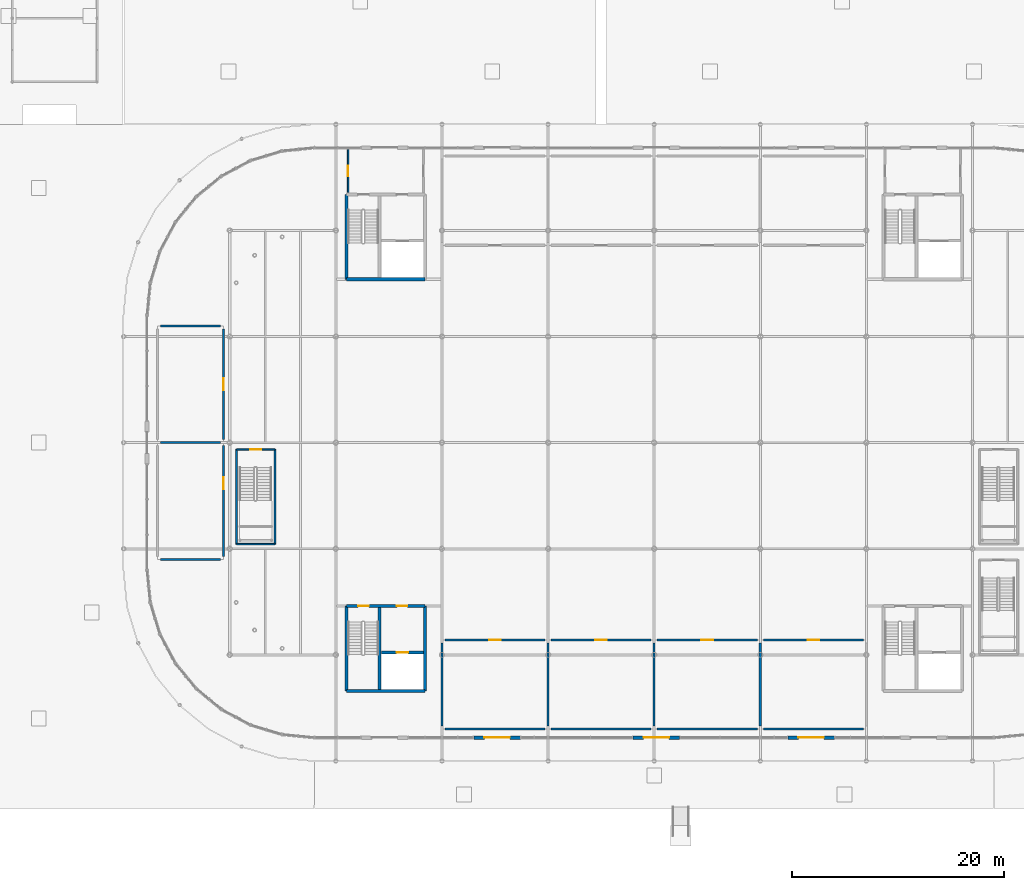
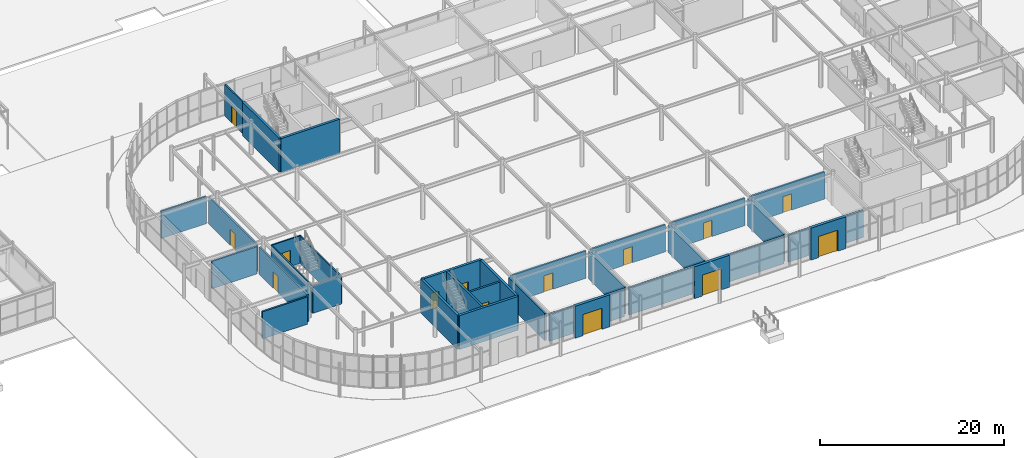
# One storey, part 88 of 119: 33 walls, 14 doors, 14 openings.
"""IFC4 building model written with IfcOpenShell, lengths in metres."""

from ifc_helpers import new_model, si_unit, derived_unit, direction, frame, frame_2d, origin, place, context, subcontext, project, spatial, rectangle, extrude, material, layer, layer_set, type_object, element, fill, save


model = new_model("IFC4")

# Units and contexts
model_context = context("Model", 3, precision=1e-05, world=origin(), true_north=direction((0.0, 1.0)))
body_context = subcontext(model_context, "Body", "Model", "MODEL_VIEW")
ifc_project = project(units=[si_unit("LENGTHUNIT", "METRE"), si_unit("AREAUNIT", "SQUARE_METRE"), si_unit("VOLUMEUNIT", "CUBIC_METRE"), si_unit("PLANEANGLEUNIT", "RADIAN"), si_unit("MASSUNIT", "GRAM", prefix="KILO"), derived_unit("THERMALTRANSMITTANCEUNIT", [(si_unit("POWERUNIT", "WATT"), 1), (si_unit("LENGTHUNIT", "METRE"), -2), (si_unit("THERMODYNAMICTEMPERATUREUNIT", "KELVIN"), -1)])], contexts=[model_context])

# Site, building, storey
site_placement = place(None, origin())
site = spatial("IfcSite", under=ifc_project, at=site_placement, CompositionType="ELEMENT")
building_placement = place(site_placement, origin())
building = spatial("IfcBuilding", under=site, at=building_placement, Name="Cinnabar Yard Market Hall", CompositionType="ELEMENT")
storey_placement = place(building_placement, origin())
storey = spatial("IfcBuildingStorey", under=building, at=storey_placement, Name="L00", CompositionType="ELEMENT", Elevation=0.0)

# Walls
ifc_material_1 = material(Name="Fire-rated steel-stud plasterboard", Category="steel")
ifc_layer_1 = layer(ifc_material_1, 0.14990234375)
ifc_layer_set_1 = layer_set([ifc_layer_1], Name="Fire-rated steel-stud plasterboard")
wall_type_1 = type_object("IfcWallType", Name="WL-PT150", PredefinedType="PARTITIONING", material=ifc_layer_set_1)
for number, where, z_axis, x_axis, name in (
    (1, (76.639892578125, 43.360107421875, 0.0), (0.0, 0.0, 1.0), (0.0, -1.0, 0.0), "Stair ST-F1 Shaft Wall W L00"),
    (2, (80.260009765625, 34.43994140625, 0.0), (0.0, 0.0, 1.0), (0.0, 1.0, 0.0), "Stair ST-F1 Shaft Wall E L00"),
):
    element("IfcWall", number, at=place(storey_placement, frame(where, z_axis=z_axis, x_axis=x_axis)), inside=storey, type_object=wall_type_1, Name=name, PredefinedType="PARTITIONING", context=body_context, shape_type="SweptSolid", body=[
        extrude(rectangle(XDim=8.920166015625, YDim=0.14990234375, at=frame_2d((4.4599609375, 0.0), x_axis=(1.0, 0.0))), origin(), (0.0, 0.0, 1.0), 3.659912109375),
    ])
wall_1_placement = place(storey_placement, frame((76.639892578125, 34.43994140625, 0.0), z_axis=(0.0, 0.0, 1.0), x_axis=(1.0, 0.0, 0.0)))
element("IfcWall", 3, at=wall_1_placement, inside=storey, type_object=wall_type_1, Name="Stair ST-F1 Shaft Wall S L00", PredefinedType="PARTITIONING", context=body_context, shape_type="SweptSolid", body=[
    extrude(rectangle(XDim=3.6201171875, YDim=0.14990234375, at=frame_2d((1.81005859375, 0.0), x_axis=(1.0, 0.0))), origin(), (0.0, 0.0, 1.0), 3.659912109375),
])

# Wall, opening, door
wall_2_placement = place(storey_placement, frame((80.260009765625, 43.360107421875, 0.0), z_axis=(0.0, 0.0, 1.0), x_axis=(-1.0, 0.0, 0.0)))
wall_2 = element("IfcWall", 4, at=wall_2_placement, inside=storey, type_object=wall_type_1, Name="Stair ST-F1 Shaft Wall N L00", PredefinedType="PARTITIONING", context=body_context, shape_type="SweptSolid", body=[
    extrude(rectangle(XDim=3.6201171875, YDim=0.14990234375, at=frame_2d((1.81005859375, 0.0), x_axis=(1.0, 0.0))), origin(), (0.0, 0.0, 1.0), 3.659912109375),
])
opening_1_placement = place(wall_2_placement, frame((1.31005859375, 0.0, 0.0)))
opening_1 = element("IfcOpeningElement", 5, at=opening_1_placement, cuts=wall_2, Name="Opening CD-065", PredefinedType="OPENING", context=body_context, shape_type="SweptSolid", body=[
    extrude(rectangle(XDim=1.0, YDim=2.14990234375, at=frame_2d((0.5, 1.074951171875), x_axis=(1.0, 0.0))), frame((0.0, 0.0849609375, 0.0), z_axis=(0.0, -1.0, 0.0), x_axis=(1.0, 0.0, 0.0)), (0.0, 0.0, 1.0), 0.169921875),
])
ifc_material_2 = material(Name="Solid-core spotted gum timber", Category="wood")
door_type_1 = type_object("IfcDoorType", Name="DR-D05", OperationType="NOTDEFINED", PredefinedType="DOOR", material=ifc_material_2)
door_1_placement = place(opening_1_placement, origin())
door_1 = element("IfcDoor", 6, at=door_1_placement, inside=storey, type_object=door_type_1, Name="Stair Door CD-065", OperationType="SINGLE_SWING_LEFT", OverallHeight=2.14990234375, OverallWidth=1.0, PredefinedType="DOOR", context=body_context, shape_type="SweptSolid", body=[
    extrude(rectangle(XDim=1.0, YDim=2.14990234375, at=frame_2d((0.5, 1.074951171875), x_axis=(1.0, 0.0))), frame((0.0, 0.02490234375, 0.0), z_axis=(0.0, -1.0, 0.0), x_axis=(1.0, 0.0, 0.0)), (0.0, 0.0, 1.0), 0.050048828125),
])
fill(opening_1, door_1)

wall_3_placement = place(storey_placement, frame((87.14990234375, 71.6201171875, 0.0), z_axis=(0.0, 0.0, 1.0), x_axis=(0.0, -1.0, 0.0)))
wall_3 = element("IfcWall", 7, at=wall_3_placement, inside=storey, type_object=wall_type_1, Name="Protected Exit Lobby C3 W", PredefinedType="PARTITIONING", context=body_context, shape_type="SweptSolid", body=[
    extrude(rectangle(XDim=4.0400390625, YDim=0.14990234375, at=frame_2d((2.02001953125, 0.0), x_axis=(1.0, 0.0))), origin(), (0.0, 0.0, 1.0), 4.199951171875),
])
opening_2_placement = place(wall_3_placement, frame((1.52001953125, 0.0, 0.0)))
opening_2 = element("IfcOpeningElement", 8, at=opening_2_placement, cuts=wall_3, Name="Opening CD-085", PredefinedType="OPENING", context=body_context, shape_type="SweptSolid", body=[
    extrude(rectangle(XDim=1.0, YDim=2.14990234375, at=frame_2d((0.5, 1.074951171875), x_axis=(1.0, 0.0))), frame((0.0, 0.0849609375, 0.0), z_axis=(0.0, -1.0, 0.0), x_axis=(1.0, 0.0, 0.0)), (0.0, 0.0, 1.0), 0.169921875),
])
door_2_placement = place(opening_2_placement, origin())
door_2 = element("IfcDoor", 9, at=door_2_placement, inside=storey, type_object=door_type_1, Name="Exit Lobby Door CD-085", OperationType="SINGLE_SWING_LEFT", OverallHeight=2.14990234375, OverallWidth=1.0, PredefinedType="DOOR", context=body_context, shape_type="SweptSolid", body=[
    extrude(rectangle(XDim=1.0, YDim=2.14990234375, at=frame_2d((0.5, 1.074951171875), x_axis=(1.0, 0.0))), frame((0.0, 0.02490234375, 0.0), z_axis=(0.0, -1.0, 0.0), x_axis=(1.0, 0.0, 0.0)), (0.0, 0.0, 1.0), 0.050048828125),
])
fill(opening_2, door_2)

# Walls
ifc_material_3 = material(Name="Demountable timber-framed stall partition", Category="wood")
ifc_layer_2 = layer(ifc_material_3, 0.199951171875)
ifc_layer_set_2 = layer_set([ifc_layer_2], Name="Demountable timber-framed stall partition")
wall_type_2 = type_object("IfcWallType", Name="WL-PT200", PredefinedType="MOVABLE", material=ifc_layer_set_2)
wall_4_placement = place(storey_placement, frame((96.280029296875, 17.0, 0.0), z_axis=(0.0, 0.0, 1.0), x_axis=(1.0, 0.0, 0.0)))
element("IfcWall", 10, at=wall_4_placement, inside=storey, type_object=wall_type_2, Name="Partition Fresh Produce Stall 01 south", PredefinedType="MOVABLE", context=body_context, shape_type="SweptSolid", body=[
    extrude(rectangle(XDim=9.43994140625, YDim=0.199951171875, at=frame_2d((4.719970703125, 0.0), x_axis=(1.0, 0.0))), origin(), (0.0, 0.0, 1.0), 3.6201171875),
])
wall_5_placement = place(storey_placement, frame((106.0, 17.280029296875, 0.0), z_axis=(0.0, 0.0, 1.0), x_axis=(0.0, 1.0, 0.0)))
element("IfcWall", 11, at=wall_5_placement, inside=storey, type_object=wall_type_2, Name="Partition Fresh Produce Stall 01 east", PredefinedType="MOVABLE", context=body_context, shape_type="SweptSolid", body=[
    extrude(rectangle(XDim=7.840087890625, YDim=0.199951171875, at=frame_2d((3.919921875, 0.0), x_axis=(1.0, 0.0))), origin(), (0.0, 0.0, 1.0), 3.6201171875),
])

# Wall, opening, door
wall_6_placement = place(storey_placement, frame((105.719970703125, 25.39990234375, 0.0), z_axis=(0.0, 0.0, 1.0), x_axis=(-1.0, 0.0, 0.0)))
wall_6 = element("IfcWall", 12, at=wall_6_placement, inside=storey, type_object=wall_type_2, Name="Partition Fresh Produce Stall 01 north", PredefinedType="MOVABLE", context=body_context, shape_type="SweptSolid", body=[
    extrude(rectangle(XDim=9.43994140625, YDim=0.199951171875, at=frame_2d((4.719970703125, 0.0), x_axis=(1.0, 0.0))), origin(), (0.0, 0.0, 1.0), 3.6201171875),
])
opening_3_placement = place(wall_6_placement, frame((4.169921875, 0.0, 0.0)))
opening_3 = element("IfcOpeningElement", 13, at=opening_3_placement, cuts=wall_6, Name="Opening ID-111", PredefinedType="OPENING", context=body_context, shape_type="SweptSolid", body=[
    extrude(rectangle(XDim=1.10009765625, YDim=2.14990234375, at=frame_2d((0.550048828125, 1.074951171875), x_axis=(1.0, 0.0))), frame((0.0, 0.10986328125, 0.0), z_axis=(0.0, -1.0, 0.0), x_axis=(1.0, 0.0, 0.0)), (0.0, 0.0, 1.0), 0.219970703125),
])
ifc_material_4 = material(Name="Anodised aluminium and acoustic glass", Category="aluminium")
door_type_2 = type_object("IfcDoorType", Name="DR-D09", OperationType="NOTDEFINED", PredefinedType="DOOR", material=ifc_material_4)
door_3_placement = place(opening_3_placement, origin())
door_3 = element("IfcDoor", 14, at=door_3_placement, inside=storey, type_object=door_type_2, Name="Interior Door ID-111", OperationType="SLIDING_TO_LEFT", OverallHeight=2.14990234375, OverallWidth=1.10009765625, PredefinedType="DOOR", context=body_context, shape_type="SweptSolid", body=[
    extrude(rectangle(XDim=1.10009765625, YDim=2.14990234375, at=frame_2d((0.550048828125, 1.074951171875), x_axis=(1.0, 0.0))), frame((0.0, 0.02490234375, 0.0), z_axis=(0.0, -1.0, 0.0), x_axis=(1.0, 0.0, 0.0)), (0.0, 0.0, 1.0), 0.050048828125),
])
fill(opening_3, door_3)

# Walls
wall_7_placement = place(storey_placement, frame((96.0, 25.1201171875, 0.0), z_axis=(0.0, 0.0, 1.0), x_axis=(0.0, -1.0, 0.0)))
element("IfcWall", 15, at=wall_7_placement, inside=storey, type_object=wall_type_2, Name="Partition Fresh Produce Stall 01 west", PredefinedType="MOVABLE", context=body_context, shape_type="SweptSolid", body=[
    extrude(rectangle(XDim=7.840087890625, YDim=0.199951171875, at=frame_2d((3.919921875, 0.0), x_axis=(1.0, 0.0))), origin(), (0.0, 0.0, 1.0), 3.6201171875),
])
wall_8_placement = place(storey_placement, frame((106.280029296875, 17.0, 0.0), z_axis=(0.0, 0.0, 1.0), x_axis=(1.0, 0.0, 0.0)))
element("IfcWall", 16, at=wall_8_placement, inside=storey, type_object=wall_type_2, Name="Partition Orchard Fruit Stall 02 south", PredefinedType="MOVABLE", context=body_context, shape_type="SweptSolid", body=[
    extrude(rectangle(XDim=9.43994140625, YDim=0.199951171875, at=frame_2d((4.719970703125, 0.0), x_axis=(1.0, 0.0))), origin(), (0.0, 0.0, 1.0), 3.6201171875),
])
wall_9_placement = place(storey_placement, frame((116.0, 17.280029296875, 0.0), z_axis=(0.0, 0.0, 1.0), x_axis=(0.0, 1.0, 0.0)))
element("IfcWall", 17, at=wall_9_placement, inside=storey, type_object=wall_type_2, Name="Partition Orchard Fruit Stall 02 east", PredefinedType="MOVABLE", context=body_context, shape_type="SweptSolid", body=[
    extrude(rectangle(XDim=7.840087890625, YDim=0.199951171875, at=frame_2d((3.919921875, 0.0), x_axis=(1.0, 0.0))), origin(), (0.0, 0.0, 1.0), 3.6201171875),
])

# Wall, opening, door
wall_10_placement = place(storey_placement, frame((115.719970703125, 25.39990234375, 0.0), z_axis=(0.0, 0.0, 1.0), x_axis=(-1.0, 0.0, 0.0)))
wall_10 = element("IfcWall", 18, at=wall_10_placement, inside=storey, type_object=wall_type_2, Name="Partition Orchard Fruit Stall 02 north", PredefinedType="MOVABLE", context=body_context, shape_type="SweptSolid", body=[
    extrude(rectangle(XDim=9.43994140625, YDim=0.199951171875, at=frame_2d((4.719970703125, 0.0), x_axis=(1.0, 0.0))), origin(), (0.0, 0.0, 1.0), 3.6201171875),
])
opening_4_placement = place(wall_10_placement, frame((4.169921875, 0.0, 0.0)))
opening_4 = element("IfcOpeningElement", 19, at=opening_4_placement, cuts=wall_10, Name="Opening ID-112", PredefinedType="OPENING", context=body_context, shape_type="SweptSolid", body=[
    extrude(rectangle(XDim=1.10009765625, YDim=2.14990234375, at=frame_2d((0.550048828125, 1.074951171875), x_axis=(1.0, 0.0))), frame((0.0, 0.10986328125, 0.0), z_axis=(0.0, -1.0, 0.0), x_axis=(1.0, 0.0, 0.0)), (0.0, 0.0, 1.0), 0.219970703125),
])
door_4_placement = place(opening_4_placement, origin())
door_4 = element("IfcDoor", 20, at=door_4_placement, inside=storey, type_object=door_type_2, Name="Interior Door ID-112", OperationType="SLIDING_TO_LEFT", OverallHeight=2.14990234375, OverallWidth=1.10009765625, PredefinedType="DOOR", context=body_context, shape_type="SweptSolid", body=[
    extrude(rectangle(XDim=1.10009765625, YDim=2.14990234375, at=frame_2d((0.550048828125, 1.074951171875), x_axis=(1.0, 0.0))), frame((0.0, 0.02490234375, 0.0), z_axis=(0.0, -1.0, 0.0), x_axis=(1.0, 0.0, 0.0)), (0.0, 0.0, 1.0), 0.050048828125),
])
fill(opening_4, door_4)

# Walls
wall_11_placement = place(storey_placement, frame((116.280029296875, 17.0, 0.0), z_axis=(0.0, 0.0, 1.0), x_axis=(1.0, 0.0, 0.0)))
element("IfcWall", 21, at=wall_11_placement, inside=storey, type_object=wall_type_2, Name="Partition Artisan Bakery Stall 03 south", PredefinedType="MOVABLE", context=body_context, shape_type="SweptSolid", body=[
    extrude(rectangle(XDim=9.43994140625, YDim=0.199951171875, at=frame_2d((4.719970703125, 0.0), x_axis=(1.0, 0.0))), origin(), (0.0, 0.0, 1.0), 3.6201171875),
])
wall_12_placement = place(storey_placement, frame((126.0, 17.280029296875, 0.0), z_axis=(0.0, 0.0, 1.0), x_axis=(0.0, 1.0, 0.0)))
element("IfcWall", 22, at=wall_12_placement, inside=storey, type_object=wall_type_2, Name="Partition Artisan Bakery Stall 03 east", PredefinedType="MOVABLE", context=body_context, shape_type="SweptSolid", body=[
    extrude(rectangle(XDim=7.840087890625, YDim=0.199951171875, at=frame_2d((3.919921875, 0.0), x_axis=(1.0, 0.0))), origin(), (0.0, 0.0, 1.0), 3.6201171875),
])

# Wall, opening, door
wall_13_placement = place(storey_placement, frame((125.719970703125, 25.39990234375, 0.0), z_axis=(0.0, 0.0, 1.0), x_axis=(-1.0, 0.0, 0.0)))
wall_13 = element("IfcWall", 23, at=wall_13_placement, inside=storey, type_object=wall_type_2, Name="Partition Artisan Bakery Stall 03 north", PredefinedType="MOVABLE", context=body_context, shape_type="SweptSolid", body=[
    extrude(rectangle(XDim=9.43994140625, YDim=0.199951171875, at=frame_2d((4.719970703125, 0.0), x_axis=(1.0, 0.0))), origin(), (0.0, 0.0, 1.0), 3.6201171875),
])
opening_5_placement = place(wall_13_placement, frame((4.169921875, 0.0, 0.0)))
opening_5 = element("IfcOpeningElement", 24, at=opening_5_placement, cuts=wall_13, Name="Opening ID-113", PredefinedType="OPENING", context=body_context, shape_type="SweptSolid", body=[
    extrude(rectangle(XDim=1.10009765625, YDim=2.14990234375, at=frame_2d((0.550048828125, 1.074951171875), x_axis=(1.0, 0.0))), frame((0.0, 0.10986328125, 0.0), z_axis=(0.0, -1.0, 0.0), x_axis=(1.0, 0.0, 0.0)), (0.0, 0.0, 1.0), 0.219970703125),
])
door_5_placement = place(opening_5_placement, origin())
door_5 = element("IfcDoor", 25, at=door_5_placement, inside=storey, type_object=door_type_2, Name="Interior Door ID-113", OperationType="SLIDING_TO_LEFT", OverallHeight=2.14990234375, OverallWidth=1.10009765625, PredefinedType="DOOR", context=body_context, shape_type="SweptSolid", body=[
    extrude(rectangle(XDim=1.10009765625, YDim=2.14990234375, at=frame_2d((0.550048828125, 1.074951171875), x_axis=(1.0, 0.0))), frame((0.0, 0.02490234375, 0.0), z_axis=(0.0, -1.0, 0.0), x_axis=(1.0, 0.0, 0.0)), (0.0, 0.0, 1.0), 0.050048828125),
])
fill(opening_5, door_5)

# Wall
wall_14_placement = place(storey_placement, frame((126.280029296875, 17.0, 0.0), z_axis=(0.0, 0.0, 1.0), x_axis=(1.0, 0.0, 0.0)))
element("IfcWall", 26, at=wall_14_placement, inside=storey, type_object=wall_type_2, Name="Partition Butchery and Poultry Stall 04 south", PredefinedType="MOVABLE", context=body_context, shape_type="SweptSolid", body=[
    extrude(rectangle(XDim=9.43994140625, YDim=0.199951171875, at=frame_2d((4.719970703125, 0.0), x_axis=(1.0, 0.0))), origin(), (0.0, 0.0, 1.0), 3.6201171875),
])

# Wall, opening, door
wall_15_placement = place(storey_placement, frame((135.719970703125, 25.39990234375, 0.0), z_axis=(0.0, 0.0, 1.0), x_axis=(-1.0, 0.0, 0.0)))
wall_15 = element("IfcWall", 27, at=wall_15_placement, inside=storey, type_object=wall_type_2, Name="Partition Butchery and Poultry Stall 04 north", PredefinedType="MOVABLE", context=body_context, shape_type="SweptSolid", body=[
    extrude(rectangle(XDim=9.43994140625, YDim=0.199951171875, at=frame_2d((4.719970703125, 0.0), x_axis=(1.0, 0.0))), origin(), (0.0, 0.0, 1.0), 3.6201171875),
])
opening_6_placement = place(wall_15_placement, frame((4.169921875, 0.0, 0.0)))
opening_6 = element("IfcOpeningElement", 28, at=opening_6_placement, cuts=wall_15, Name="Opening ID-114", PredefinedType="OPENING", context=body_context, shape_type="SweptSolid", body=[
    extrude(rectangle(XDim=1.10009765625, YDim=2.14990234375, at=frame_2d((0.550048828125, 1.074951171875), x_axis=(1.0, 0.0))), frame((0.0, 0.10986328125, 0.0), z_axis=(0.0, -1.0, 0.0), x_axis=(1.0, 0.0, 0.0)), (0.0, 0.0, 1.0), 0.219970703125),
])
door_6_placement = place(opening_6_placement, origin())
door_6 = element("IfcDoor", 29, at=door_6_placement, inside=storey, type_object=door_type_2, Name="Interior Door ID-114", OperationType="SLIDING_TO_LEFT", OverallHeight=2.14990234375, OverallWidth=1.10009765625, PredefinedType="DOOR", context=body_context, shape_type="SweptSolid", body=[
    extrude(rectangle(XDim=1.10009765625, YDim=2.14990234375, at=frame_2d((0.550048828125, 1.074951171875), x_axis=(1.0, 0.0))), frame((0.0, 0.02490234375, 0.0), z_axis=(0.0, -1.0, 0.0), x_axis=(1.0, 0.0, 0.0)), (0.0, 0.0, 1.0), 0.050048828125),
])
fill(opening_6, door_6)

# Wall
wall_16_placement = place(storey_placement, frame((69.47998046875, 33.0, 0.0), z_axis=(0.0, 0.0, 1.0), x_axis=(1.0, 0.0, 0.0)))
element("IfcWall", 30, at=wall_16_placement, inside=storey, type_object=wall_type_2, Name="Partition Smallgoods and Olive Stall 09 south", PredefinedType="MOVABLE", context=body_context, shape_type="SweptSolid", body=[
    extrude(rectangle(XDim=5.64013671875, YDim=0.199951171875, at=frame_2d((2.820068359375, 0.0), x_axis=(1.0, 0.0))), origin(), (0.0, 0.0, 1.0), 3.6201171875),
])

# Wall, opening, door
wall_17_placement = place(storey_placement, frame((75.39990234375, 33.280029296875, 0.0), z_axis=(0.0, 0.0, 1.0), x_axis=(0.0, 1.0, 0.0)))
wall_17 = element("IfcWall", 31, at=wall_17_placement, inside=storey, type_object=wall_type_2, Name="Partition Smallgoods and Olive Stall 09 east", PredefinedType="MOVABLE", context=body_context, shape_type="SweptSolid", body=[
    extrude(rectangle(XDim=10.43994140625, YDim=0.199951171875, at=frame_2d((5.219970703125, 0.0), x_axis=(1.0, 0.0))), origin(), (0.0, 0.0, 1.0), 3.6201171875),
])
opening_7_placement = place(wall_17_placement, frame((6.351318359375, 0.0, 0.0)))
opening_7 = element("IfcOpeningElement", 32, at=opening_7_placement, cuts=wall_17, Name="Opening ID-119", PredefinedType="OPENING", context=body_context, shape_type="SweptSolid", body=[
    extrude(rectangle(XDim=1.10009765625, YDim=2.14990234375, at=frame_2d((0.550048828125, 1.074951171875), x_axis=(1.0, 0.0))), frame((0.0, 0.10986328125, 0.0), z_axis=(0.0, -1.0, 0.0), x_axis=(1.0, 0.0, 0.0)), (0.0, 0.0, 1.0), 0.219970703125),
])
door_7_placement = place(opening_7_placement, origin())
door_7 = element("IfcDoor", 33, at=door_7_placement, inside=storey, type_object=door_type_2, Name="Interior Door ID-119", OperationType="SLIDING_TO_LEFT", OverallHeight=2.14990234375, OverallWidth=1.10009765625, PredefinedType="DOOR", context=body_context, shape_type="SweptSolid", body=[
    extrude(rectangle(XDim=1.10009765625, YDim=2.14990234375, at=frame_2d((0.550048828125, 1.074951171875), x_axis=(1.0, 0.0))), frame((0.0, 0.02490234375, 0.0), z_axis=(0.0, -1.0, 0.0), x_axis=(1.0, 0.0, 0.0)), (0.0, 0.0, 1.0), 0.050048828125),
])
fill(opening_7, door_7)

# Wall
wall_18_placement = place(storey_placement, frame((75.1201171875, 44.0, 0.0), z_axis=(0.0, 0.0, 1.0), x_axis=(-1.0, 0.0, 0.0)))
element("IfcWall", 34, at=wall_18_placement, inside=storey, type_object=wall_type_2, Name="Partition Smallgoods and Olive Stall 09 north", PredefinedType="MOVABLE", context=body_context, shape_type="SweptSolid", body=[
    extrude(rectangle(XDim=5.64013671875, YDim=0.199951171875, at=frame_2d((2.820068359375, 0.0), x_axis=(1.0, 0.0))), origin(), (0.0, 0.0, 1.0), 3.6201171875),
])

# Wall, opening, door
wall_19_placement = place(storey_placement, frame((75.39990234375, 44.280029296875, 0.0), z_axis=(0.0, 0.0, 1.0), x_axis=(0.0, 1.0, 0.0)))
wall_19 = element("IfcWall", 35, at=wall_19_placement, inside=storey, type_object=wall_type_2, Name="Partition Confectionery and Coffee Stall 10 east", PredefinedType="MOVABLE", context=body_context, shape_type="SweptSolid", body=[
    extrude(rectangle(XDim=10.43994140625, YDim=0.199951171875, at=frame_2d((5.219970703125, 0.0), x_axis=(1.0, 0.0))), origin(), (0.0, 0.0, 1.0), 3.6201171875),
])
opening_8_placement = place(wall_19_placement, frame((4.669921875, 0.0, 0.0)))
opening_8 = element("IfcOpeningElement", 36, at=opening_8_placement, cuts=wall_19, Name="Opening ID-120", PredefinedType="OPENING", context=body_context, shape_type="SweptSolid", body=[
    extrude(rectangle(XDim=1.10009765625, YDim=2.14990234375, at=frame_2d((0.550048828125, 1.074951171875), x_axis=(1.0, 0.0))), frame((0.0, 0.10986328125, 0.0), z_axis=(0.0, -1.0, 0.0), x_axis=(1.0, 0.0, 0.0)), (0.0, 0.0, 1.0), 0.219970703125),
])
door_8_placement = place(opening_8_placement, origin())
door_8 = element("IfcDoor", 37, at=door_8_placement, inside=storey, type_object=door_type_2, Name="Interior Door ID-120", OperationType="SLIDING_TO_LEFT", OverallHeight=2.14990234375, OverallWidth=1.10009765625, PredefinedType="DOOR", context=body_context, shape_type="SweptSolid", body=[
    extrude(rectangle(XDim=1.10009765625, YDim=2.14990234375, at=frame_2d((0.550048828125, 1.074951171875), x_axis=(1.0, 0.0))), frame((0.0, 0.02490234375, 0.0), z_axis=(0.0, -1.0, 0.0), x_axis=(1.0, 0.0, 0.0)), (0.0, 0.0, 1.0), 0.050048828125),
])
fill(opening_8, door_8)

# Walls
wall_20_placement = place(storey_placement, frame((75.1201171875, 55.0, 0.0), z_axis=(0.0, 0.0, 1.0), x_axis=(-1.0, 0.0, 0.0)))
element("IfcWall", 38, at=wall_20_placement, inside=storey, type_object=wall_type_2, Name="Partition Confectionery and Coffee Stall 10 north", PredefinedType="MOVABLE", context=body_context, shape_type="SweptSolid", body=[
    extrude(rectangle(XDim=5.64013671875, YDim=0.199951171875, at=frame_2d((2.820068359375, 0.0), x_axis=(1.0, 0.0))), origin(), (0.0, 0.0, 1.0), 3.6201171875),
])
ifc_material_5 = material(Name="Concrete 40 MPa", Category="concrete")
ifc_layer_3 = layer(ifc_material_5, 0.300048828125)
ifc_layer_set_3 = layer_set([ifc_layer_3], Name="Concrete 40 MPa")
wall_type_3 = type_object("IfcWallType", Name="WL-W-CORE", PredefinedType="SHEAR", material=ifc_layer_set_3)
for number, where, z_axis, x_axis, name in (
    (39, (87.0, 28.60009765625, 0.0), (0.0, 0.0, 1.0), (0.0, -1.0, 0.0), "Core C1 West Shear Wall L00"),
    (40, (94.39990234375, 20.60009765625, 0.0), (0.0, 0.0, 1.0), (0.0, 1.0, 0.0), "Core C1 East Shear Wall L00"),
):
    element("IfcWall", number, at=place(storey_placement, frame(where, z_axis=z_axis, x_axis=x_axis)), inside=storey, type_object=wall_type_3, Name=name, PredefinedType="SHEAR", context=body_context, shape_type="SweptSolid", body=[
        extrude(rectangle(XDim=8.0, YDim=0.300048828125, at=frame_2d((4.0, 0.0), x_axis=(1.0, 0.0))), origin(), (0.0, 0.0, 1.0), 4.5),
    ])
wall_21_placement = place(storey_placement, frame((87.0, 20.60009765625, 0.0), z_axis=(0.0, 0.0, 1.0), x_axis=(1.0, 0.0, 0.0)))
element("IfcWall", 41, at=wall_21_placement, inside=storey, type_object=wall_type_3, Name="Core C1 South Shear Wall L00", PredefinedType="SHEAR", context=body_context, shape_type="SweptSolid", body=[
    extrude(rectangle(XDim=7.39990234375, YDim=0.300048828125, at=frame_2d((3.699951171875, 0.0), x_axis=(1.0, 0.0))), origin(), (0.0, 0.0, 1.0), 4.5),
])

# Wall, openings, doors
wall_22_placement = place(storey_placement, frame((94.39990234375, 28.60009765625, 0.0), z_axis=(0.0, 0.0, 1.0), x_axis=(-1.0, 0.0, 0.0)))
wall_22 = element("IfcWall", 42, at=wall_22_placement, inside=storey, type_object=wall_type_3, Name="Core C1 North Shear Wall L00", PredefinedType="SHEAR", context=body_context, shape_type="SweptSolid", body=[
    extrude(rectangle(XDim=7.39990234375, YDim=0.300048828125, at=frame_2d((3.699951171875, 0.0), x_axis=(1.0, 0.0))), origin(), (0.0, 0.0, 1.0), 4.5),
])
opening_9_placement = place(wall_22_placement, frame((1.64990234375, 0.0, 0.0)))
opening_9 = element("IfcOpeningElement", 43, at=opening_9_placement, cuts=wall_22, Name="Opening CD-003", PredefinedType="OPENING", context=body_context, shape_type="SweptSolid", body=[
    extrude(rectangle(XDim=1.0, YDim=2.14990234375, at=frame_2d((0.5, 1.074951171875), x_axis=(1.0, 0.0))), frame((0.0, 0.159912109375, 0.0), z_axis=(0.0, -1.0, 0.0), x_axis=(1.0, 0.0, 0.0)), (0.0, 0.0, 1.0), 0.320068359375),
])
opening_10_placement = place(wall_22_placement, frame((5.300048828125, 0.0, 0.0)))
opening_10 = element("IfcOpeningElement", 44, at=opening_10_placement, cuts=wall_22, Name="Opening CD-004", PredefinedType="OPENING", context=body_context, shape_type="SweptSolid", body=[
    extrude(rectangle(XDim=1.0, YDim=2.14990234375, at=frame_2d((0.5, 1.074951171875), x_axis=(1.0, 0.0))), frame((0.0, 0.159912109375, 0.0), z_axis=(0.0, -1.0, 0.0), x_axis=(1.0, 0.0, 0.0)), (0.0, 0.0, 1.0), 0.320068359375),
])
door_9_placement = place(opening_9_placement, origin())
door_9 = element("IfcDoor", 45, at=door_9_placement, inside=storey, type_object=door_type_1, Name="Core Door CD-003", OperationType="SINGLE_SWING_RIGHT", OverallHeight=2.14990234375, OverallWidth=1.0, PredefinedType="DOOR", context=body_context, shape_type="SweptSolid", body=[
    extrude(rectangle(XDim=1.0, YDim=2.14990234375, at=frame_2d((0.5, 1.074951171875), x_axis=(1.0, 0.0))), frame((0.0, 0.02490234375, 0.0), z_axis=(0.0, -1.0, 0.0), x_axis=(1.0, 0.0, 0.0)), (0.0, 0.0, 1.0), 0.050048828125),
])
fill(opening_9, door_9)
door_10_placement = place(opening_10_placement, origin())
door_10 = element("IfcDoor", 46, at=door_10_placement, inside=storey, type_object=door_type_1, Name="Core Door CD-004", OperationType="SINGLE_SWING_LEFT", OverallHeight=2.14990234375, OverallWidth=1.0, PredefinedType="DOOR", context=body_context, shape_type="SweptSolid", body=[
    extrude(rectangle(XDim=1.0, YDim=2.14990234375, at=frame_2d((0.5, 1.074951171875), x_axis=(1.0, 0.0))), frame((0.0, 0.02490234375, 0.0), z_axis=(0.0, -1.0, 0.0), x_axis=(1.0, 0.0, 0.0)), (0.0, 0.0, 1.0), 0.050048828125),
])
fill(opening_10, door_10)

# Walls
wall_23_placement = place(storey_placement, frame((87.0, 67.39990234375, 0.0), z_axis=(0.0, 0.0, 1.0), x_axis=(0.0, -1.0, 0.0)))
element("IfcWall", 47, at=wall_23_placement, inside=storey, type_object=wall_type_3, Name="Core C3 West Shear Wall L00", PredefinedType="SHEAR", context=body_context, shape_type="SweptSolid", body=[
    extrude(rectangle(XDim=8.0, YDim=0.300048828125, at=frame_2d((4.0, 0.0), x_axis=(1.0, 0.0))), origin(), (0.0, 0.0, 1.0), 4.5),
])
wall_24_placement = place(storey_placement, frame((87.0, 59.39990234375, 0.0), z_axis=(0.0, 0.0, 1.0), x_axis=(1.0, 0.0, 0.0)))
element("IfcWall", 48, at=wall_24_placement, inside=storey, type_object=wall_type_3, Name="Core C3 South Shear Wall L00", PredefinedType="SHEAR", context=body_context, shape_type="SweptSolid", body=[
    extrude(rectangle(XDim=7.39990234375, YDim=0.300048828125, at=frame_2d((3.699951171875, 0.0), x_axis=(1.0, 0.0))), origin(), (0.0, 0.0, 1.0), 4.5),
])

# Wall, opening, door
ifc_material_6 = material(Name="Red sandstone ashlar over Concrete 32 MPa", Category="masonry")
ifc_layer_4 = layer(ifc_material_6, 0.35009765625)
ifc_layer_set_4 = layer_set([ifc_layer_4], Name="Red sandstone ashlar over Concrete 32 MPa")
wall_type_4 = type_object("IfcWallType", Name="WL-W-EXT1", PredefinedType="SOLIDWALL", material=ifc_layer_set_4)
wall_25_placement = place(storey_placement, frame((99.0, 16.199951171875, 0.0), z_axis=(0.0, 0.0, 1.0), x_axis=(1.0, 0.0, 0.0)))
wall_25 = element("IfcWall", 49, at=wall_25_placement, inside=storey, type_object=wall_type_4, Name="Market Hall South Portal PTB2", PredefinedType="SOLIDWALL", context=body_context, shape_type="SweptSolid", body=[
    extrude(rectangle(XDim=4.39990234375, YDim=0.35009765625, at=frame_2d((2.199951171875, 0.0), x_axis=(1.0, 0.0))), origin(), (0.0, 0.0, 1.0), 4.239990234375),
])
opening_11_placement = place(wall_25_placement, frame((1.0, 0.0, 0.0)))
opening_11 = element("IfcOpeningElement", 50, at=opening_11_placement, cuts=wall_25, Name="Opening ED-003", PredefinedType="OPENING", context=body_context, shape_type="SweptSolid", body=[
    extrude(rectangle(XDim=2.39990234375, YDim=2.800048828125, at=frame_2d((1.199951171875, 1.39990234375), x_axis=(1.0, 0.0))), frame((0.0, 0.18505859375, 0.0), z_axis=(0.0, -1.0, 0.0), x_axis=(1.0, 0.0, 0.0)), (0.0, 0.0, 1.0), 0.3701171875),
])
ifc_material_7 = material(Name="Anodised bronze aluminium and toughened glass", Category="aluminium")
door_type_3 = type_object("IfcDoorType", Name="DR-D02", OperationType="NOTDEFINED", PredefinedType="DOOR", material=ifc_material_7)
door_11_placement = place(opening_11_placement, origin())
door_11 = element("IfcDoor", 51, at=door_11_placement, inside=storey, type_object=door_type_3, Name="Door ED-003", OperationType="DOUBLE_SWING_LEFT", OverallHeight=2.800048828125, OverallWidth=2.39990234375, PredefinedType="DOOR", context=body_context, shape_type="SweptSolid", body=[
    extrude(rectangle(XDim=2.39990234375, YDim=2.800048828125, at=frame_2d((1.199951171875, 1.39990234375), x_axis=(1.0, 0.0))), frame((0.0, 0.02490234375, 0.0), z_axis=(0.0, -1.0, 0.0), x_axis=(1.0, 0.0, 0.0)), (0.0, 0.0, 1.0), 0.050048828125),
])
fill(opening_11, door_11)

wall_26_placement = place(storey_placement, frame((114.0, 16.199951171875, 0.0), z_axis=(0.0, 0.0, 1.0), x_axis=(1.0, 0.0, 0.0)))
wall_26 = element("IfcWall", 52, at=wall_26_placement, inside=storey, type_object=wall_type_4, Name="Market Hall South Portal PT1", PredefinedType="SOLIDWALL", context=body_context, shape_type="SweptSolid", body=[
    extrude(rectangle(XDim=4.39990234375, YDim=0.35009765625, at=frame_2d((2.199951171875, 0.0), x_axis=(1.0, 0.0))), origin(), (0.0, 0.0, 1.0), 4.239990234375),
])
opening_12_placement = place(wall_26_placement, frame((1.0, 0.0, 0.0)))
opening_12 = element("IfcOpeningElement", 53, at=opening_12_placement, cuts=wall_26, Name="Opening ED-005", PredefinedType="OPENING", context=body_context, shape_type="SweptSolid", body=[
    extrude(rectangle(XDim=2.39990234375, YDim=2.800048828125, at=frame_2d((1.199951171875, 1.39990234375), x_axis=(1.0, 0.0))), frame((0.0, 0.18505859375, 0.0), z_axis=(0.0, -1.0, 0.0), x_axis=(1.0, 0.0, 0.0)), (0.0, 0.0, 1.0), 0.3701171875),
])
door_12_placement = place(opening_12_placement, origin())
door_12 = element("IfcDoor", 54, at=door_12_placement, inside=storey, type_object=door_type_3, Name="Door ED-005", OperationType="DOUBLE_SWING_LEFT", OverallHeight=2.800048828125, OverallWidth=2.39990234375, PredefinedType="DOOR", context=body_context, shape_type="SweptSolid", body=[
    extrude(rectangle(XDim=2.39990234375, YDim=2.800048828125, at=frame_2d((1.199951171875, 1.39990234375), x_axis=(1.0, 0.0))), frame((0.0, 0.02490234375, 0.0), z_axis=(0.0, -1.0, 0.0), x_axis=(1.0, 0.0, 0.0)), (0.0, 0.0, 1.0), 0.050048828125),
])
fill(opening_12, door_12)

wall_27_placement = place(storey_placement, frame((128.60009765625, 16.199951171875, 0.0), z_axis=(0.0, 0.0, 1.0), x_axis=(1.0, 0.0, 0.0)))
wall_27 = element("IfcWall", 55, at=wall_27_placement, inside=storey, type_object=wall_type_4, Name="Market Hall South Portal PTB5", PredefinedType="SOLIDWALL", context=body_context, shape_type="SweptSolid", body=[
    extrude(rectangle(XDim=4.39990234375, YDim=0.35009765625, at=frame_2d((2.199951171875, 0.0), x_axis=(1.0, 0.0))), origin(), (0.0, 0.0, 1.0), 4.239990234375),
])
opening_13_placement = place(wall_27_placement, frame((1.0, 0.0, 0.0)))
opening_13 = element("IfcOpeningElement", 56, at=opening_13_placement, cuts=wall_27, Name="Opening ED-007", PredefinedType="OPENING", context=body_context, shape_type="SweptSolid", body=[
    extrude(rectangle(XDim=2.39990234375, YDim=2.800048828125, at=frame_2d((1.199951171875, 1.39990234375), x_axis=(1.0, 0.0))), frame((0.0, 0.18505859375, 0.0), z_axis=(0.0, -1.0, 0.0), x_axis=(1.0, 0.0, 0.0)), (0.0, 0.0, 1.0), 0.3701171875),
])
door_13_placement = place(opening_13_placement, origin())
door_13 = element("IfcDoor", 57, at=door_13_placement, inside=storey, type_object=door_type_3, Name="Door ED-007", OperationType="DOUBLE_SWING_LEFT", OverallHeight=2.800048828125, OverallWidth=2.39990234375, PredefinedType="DOOR", context=body_context, shape_type="SweptSolid", body=[
    extrude(rectangle(XDim=2.39990234375, YDim=2.800048828125, at=frame_2d((1.199951171875, 1.39990234375), x_axis=(1.0, 0.0))), frame((0.0, 0.02490234375, 0.0), z_axis=(0.0, -1.0, 0.0), x_axis=(1.0, 0.0, 0.0)), (0.0, 0.0, 1.0), 0.050048828125),
])
fill(opening_13, door_13)

# Wall
ifc_layer_5 = layer(ifc_material_5, 0.25)
ifc_layer_set_5 = layer_set([ifc_layer_5], Name="Concrete 40 MPa")
wall_type_5 = type_object("IfcWallType", Name="WL-W-SHAFT", PredefinedType="SHEAR", material=ifc_layer_set_5)
wall_28_placement = place(storey_placement, frame((90.114990234375, 20.75, 0.0), z_axis=(0.0, 0.0, 1.0), x_axis=(0.0, 1.0, 0.0)))
element("IfcWall", 58, at=wall_28_placement, inside=storey, type_object=wall_type_5, Name="Core C1 Shaft Divider L00", PredefinedType="SHEAR", context=body_context, shape_type="SweptSolid", body=[
    extrude(rectangle(XDim=7.699951171875, YDim=0.25, at=frame_2d((3.85009765625, 0.0), x_axis=(1.0, 0.0))), origin(), (0.0, 0.0, 1.0), 4.5),
])

# Wall, opening, door
wall_29_placement = place(storey_placement, frame((90.280029296875, 24.219970703125, 0.0), z_axis=(0.0, 0.0, 1.0), x_axis=(1.0, 0.0, 0.0)))
wall_29 = element("IfcWall", 59, at=wall_29_placement, inside=storey, type_object=wall_type_5, Name="Core C1 Lift Front Wall L00", PredefinedType="SHEAR", context=body_context, shape_type="SweptSolid", body=[
    extrude(rectangle(XDim=3.969970703125, YDim=0.25, at=frame_2d((1.98486328125, 0.0), x_axis=(1.0, 0.0))), origin(), (0.0, 0.0, 1.0), 4.239990234375),
])
opening_14_placement = place(wall_29_placement, frame((1.43505859375, 0.0, 0.0)))
opening_14 = element("IfcOpeningElement", 60, at=opening_14_placement, cuts=wall_29, Name="Opening LD-LF-01-L00", PredefinedType="OPENING", context=body_context, shape_type="SweptSolid", body=[
    extrude(rectangle(XDim=1.10009765625, YDim=2.14990234375, at=frame_2d((0.550048828125, 1.074951171875), x_axis=(1.0, 0.0))), frame((0.0, 0.135009765625, 0.0), z_axis=(0.0, -1.0, 0.0), x_axis=(1.0, 0.0, 0.0)), (0.0, 0.0, 1.0), 0.27001953125),
])
ifc_material_8 = material(Name="Brushed stainless steel landing door", Category="steel")
door_type_4 = type_object("IfcDoorType", Name="DR-LD01", OperationType="NOTDEFINED", PredefinedType="DOOR", material=ifc_material_8)
door_14_placement = place(opening_14_placement, origin())
door_14 = element("IfcDoor", 61, at=door_14_placement, inside=storey, type_object=door_type_4, Name="Lift Landing Door LD-LF-01-L00", OperationType="SLIDING_TO_LEFT", OverallHeight=2.14990234375, OverallWidth=1.10009765625, PredefinedType="DOOR", context=body_context, shape_type="SweptSolid", body=[
    extrude(rectangle(XDim=1.10009765625, YDim=2.14990234375, at=frame_2d((0.550048828125, 1.074951171875), x_axis=(1.0, 0.0))), frame((0.0, 0.02490234375, 0.0), z_axis=(0.0, -1.0, 0.0), x_axis=(1.0, 0.0, 0.0)), (0.0, 0.0, 1.0), 0.050048828125),
])
fill(opening_14, door_14)

save(model, "model.ifc")
